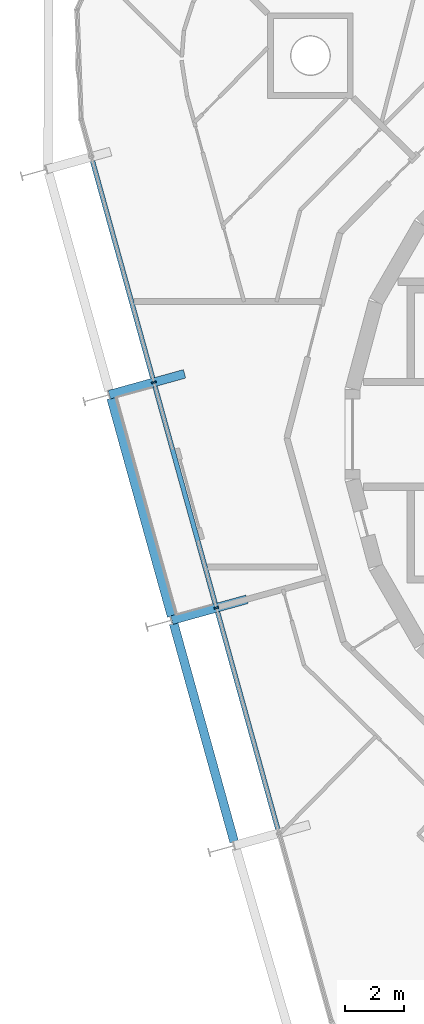
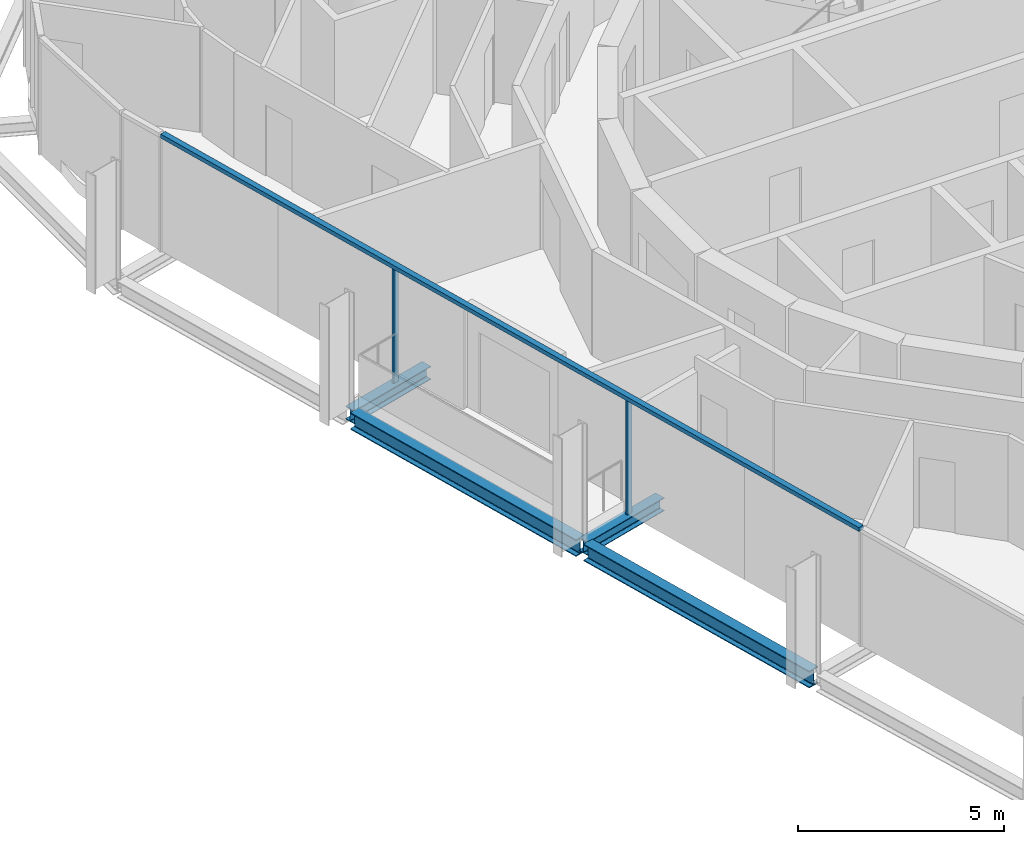
# One storey, part 3 of 15: 4 beams, 3 members, 1 element without a shape of its own.
"""IFC4 building model written with IfcOpenShell, lengths in metres."""

from ifc_helpers import new_model, si_unit, direction, frame, origin, origin_2d, place, context, subcontext, project, spatial, rectangle, i_section, extrude, material, layer, layer_set, material_profile, profile_set, type_object, element, aggregate, save


model = new_model("IFC4")

# Units and contexts
model_context = context("Model", 3, precision=1e-05, world=origin(), true_north=direction((0.0, 1.0)))
body_context = subcontext(model_context, "Body", "Model", "MODEL_VIEW")
ifc_project = project(units=[si_unit("LENGTHUNIT", "METRE"), si_unit("AREAUNIT", "SQUARE_METRE"), si_unit("VOLUMEUNIT", "CUBIC_METRE"), si_unit("PLANEANGLEUNIT", "RADIAN"), si_unit("MASSUNIT", "GRAM", prefix="KILO")], contexts=[model_context])

# Site, building, storey
site_placement = place(None, origin())
site = spatial("IfcSite", under=ifc_project, at=site_placement, CompositionType="ELEMENT")
building_placement = place(site_placement, origin())
building = spatial("IfcBuilding", under=site, at=building_placement, Name="Spindle Arch Residences", CompositionType="ELEMENT")
storey_placement = place(building_placement, frame((0.0, 0.0, 319.199951171875)))
storey = spatial("IfcBuildingStorey", under=building, at=storey_placement, Name="L82", CompositionType="ELEMENT", Elevation=319.199951171875)

# Curtain wall, members
ifc_material_1 = material(Name="Aluminium bronze unitised frame with tinted glass", Category="aluminium")
ifc_layer = layer(ifc_material_1, 0.159912109375)
ifc_layer_set = layer_set([ifc_layer], Name="CW-C typical residential unitised wall")
curtain_wall_type = type_object("IfcCurtainWallType", Name="CW-C typical residential unitised wall", PredefinedType="NOTDEFINED", material=ifc_layer_set)
curtain_wall_placement = place(storey_placement, origin())
curtain_wall = element("IfcCurtainWall", 1, at=curtain_wall_placement, inside=storey, type_object=curtain_wall_type, Name="CW-C L82 run 4", PredefinedType="NOTDEFINED")
ifc_material_2 = material(Name="Aluminium bronze anodised mullion", Category="aluminium")
ifc_material_profile_1 = material_profile(ifc_material_2, rectangle(XDim=0.159912109375, YDim=0.06005859375, at=origin_2d()), Name="MU 60x160")
ifc_profile_set_1 = profile_set([ifc_material_profile_1], Name="Aluminium bronze anodised mullion")
member_type_1 = type_object("IfcMemberType", Name="Bronze mullion 60x160", PredefinedType="MULLION", material=ifc_profile_set_1)
member_1_placement = place(storey_placement, frame((-18.384521484375, 1.763671875, -0.3798828125), z_axis=(0.0, 0.0, 1.0), x_axis=(0.963630453209, 0.267238376078, 0.0)))
member_1 = element("IfcMember", 2, at=member_1_placement, type_object=member_type_1, Name="CW-C mullion 12", PredefinedType="MULLION", context=body_context, shape_type="SweptSolid", body=[
    extrude(rectangle(XDim=0.159912109375, YDim=0.06005859375, at=origin_2d()), origin(), (0.0, 0.0, 1.0), 3.3798828125),
])
member_2_placement = place(storey_placement, frame((-16.263916015625, -5.8828125, -0.3798828125), z_axis=(0.0, 0.0, 1.0), x_axis=(0.963630453209, 0.267238376078, 0.0)))
member_2 = element("IfcMember", 3, at=member_2_placement, type_object=member_type_1, Name="CW-C mullion 13", PredefinedType="MULLION", context=body_context, shape_type="SweptSolid", body=[
    extrude(rectangle(XDim=0.159912109375, YDim=0.06005859375, at=origin_2d()), origin(), (0.0, 0.0, 1.0), 3.3798828125),
])
ifc_material_3 = material(Name="Aluminium bronze anodised transom", Category="aluminium")
ifc_material_profile_2 = material_profile(ifc_material_3, rectangle(XDim=0.159912109375, YDim=0.1201171875, at=origin_2d()), Name="TR 120x160")
ifc_profile_set_2 = profile_set([ifc_material_profile_2], Name="Aluminium bronze anodised transom")
member_type_2 = type_object("IfcMemberType", Name="Bronze transom 120x160", PredefinedType="USERDEFINED", material=ifc_profile_set_2)
member_3_placement = place(storey_placement, frame((-20.4970703125, 9.38134765625, 3.06005859375), z_axis=(0.267238704816, -0.963630362041, 0.0), x_axis=(0.963630362041, 0.267238704816, 0.0)))
member_3 = element("IfcMember", 4, at=member_3_placement, type_object=member_type_2, Name="CW-C transom 00", ObjectType="TRANSOM", PredefinedType="USERDEFINED", context=body_context, shape_type="SweptSolid", body=[
    extrude(rectangle(XDim=0.159912109375, YDim=0.1201171875, at=origin_2d()), origin(), (0.0, 0.0, 1.0), 23.745361328125),
])
aggregate(curtain_wall, [member_3, member_1, member_2])

# Beams
ifc_material_4 = material(Name="Steel S460ML, intumescent coating R 120", Category="steel")
ifc_material_profile_3 = material_profile(ifc_material_4, i_section(OverallWidth=0.300048828125, OverallDepth=0.5, WebThickness=0.014404296875, FlangeThickness=0.028076171875, FilletRadius=0.027099609375, at=origin_2d()), Name="HEB 500")
ifc_profile_set_3 = profile_set([ifc_material_profile_3], Name="Steel S460ML, intumescent coating R 120")
beam_type_1 = type_object("IfcBeamType", Name="Exoskeleton edge beam HEB 500", PredefinedType="BEAM", material=ifc_profile_set_3)
beam_1_placement = place(storey_placement, frame((-19.833740234375, 1.226806640625, -0.6298828125), z_axis=(0.26723040865, -0.963632662737, 0.0), x_axis=(0.963632662737, 0.26723040865, 0.0)))
element("IfcBeam", 5, at=beam_1_placement, inside=storey, type_object=beam_type_1, Name="Exoskeleton edge beam 13", PredefinedType="BEAM", context=body_context, shape_type="SweptSolid", body=[
    extrude(i_section(OverallWidth=0.300048828125, OverallDepth=0.5, WebThickness=0.014404296875, FlangeThickness=0.028076171875, FilletRadius=0.027099609375, at=origin_2d()), origin(), (0.0, 0.0, 1.0), 7.675048828125),
])
beam_2_placement = place(storey_placement, frame((-17.71337890625, -6.419677734375, -0.6298828125), z_axis=(0.267259946058, -0.963624471064, 0.0), x_axis=(0.963624471064, 0.267259946058, 0.0)))
element("IfcBeam", 6, at=beam_2_placement, inside=storey, type_object=beam_type_1, Name="Exoskeleton edge beam 14", PredefinedType="BEAM", context=body_context, shape_type="SweptSolid", body=[
    extrude(i_section(OverallWidth=0.300048828125, OverallDepth=0.5, WebThickness=0.014404296875, FlangeThickness=0.028076171875, FilletRadius=0.027099609375, at=origin_2d()), origin(), (0.0, 0.0, 1.0), 7.67529296875),
])
ifc_material_5 = material(Name="Steel S460ML, intumescent coating R 120", Category="steel")
ifc_material_profile_4 = material_profile(ifc_material_5, i_section(OverallWidth=0.300048828125, OverallDepth=0.389892578125, WebThickness=0.010986328125, FlangeThickness=0.01904296875, FilletRadius=0.027099609375, at=origin_2d()), Name="HEA 400")
ifc_profile_set_4 = profile_set([ifc_material_profile_4], Name="Steel S460ML, intumescent coating R 120")
beam_type_2 = type_object("IfcBeamType", Name="Floor outrigger HEA 400", PredefinedType="BEAM", material=ifc_profile_set_4)
for number, where, z_axis, x_axis, name in (
    (7, (-19.8974609375, 1.343994140625, -0.574951171875), (0.963626057771, 0.267254225009, 0.0), (-0.267254225009, 0.963626057771, 0.0), "Floor outrigger 13"),
    (8, (-17.777099609375, -6.302490234375, -0.574951171875), (0.963626057771, 0.267254225009, 0.0), (-0.267254225009, 0.963626057771, 0.0), "Floor outrigger 14"),
):
    element("IfcBeam", number, at=place(storey_placement, frame(where, z_axis=z_axis, x_axis=x_axis)), inside=storey, type_object=beam_type_2, Name=name, PredefinedType="BEAM", context=body_context, shape_type="SweptSolid", body=[
        extrude(i_section(OverallWidth=0.300048828125, OverallDepth=0.389892578125, WebThickness=0.010986328125, FlangeThickness=0.01904296875, FilletRadius=0.027099609375, at=origin_2d()), origin(), (0.0, 0.0, 1.0), 2.650146484375),
    ])

save(model, "model.ifc")
